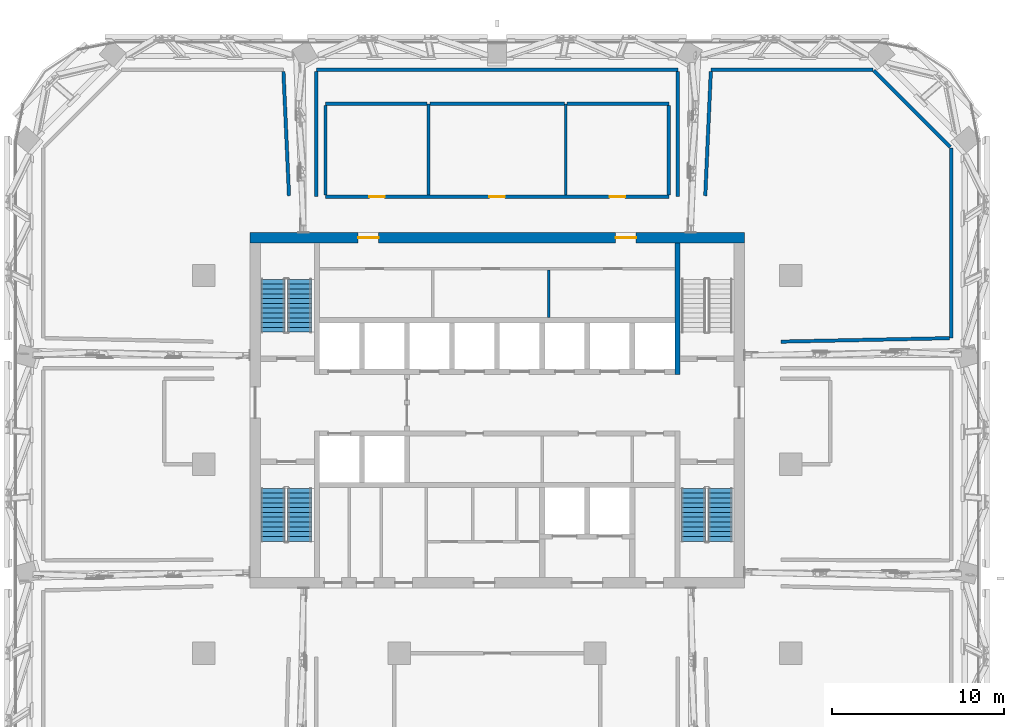
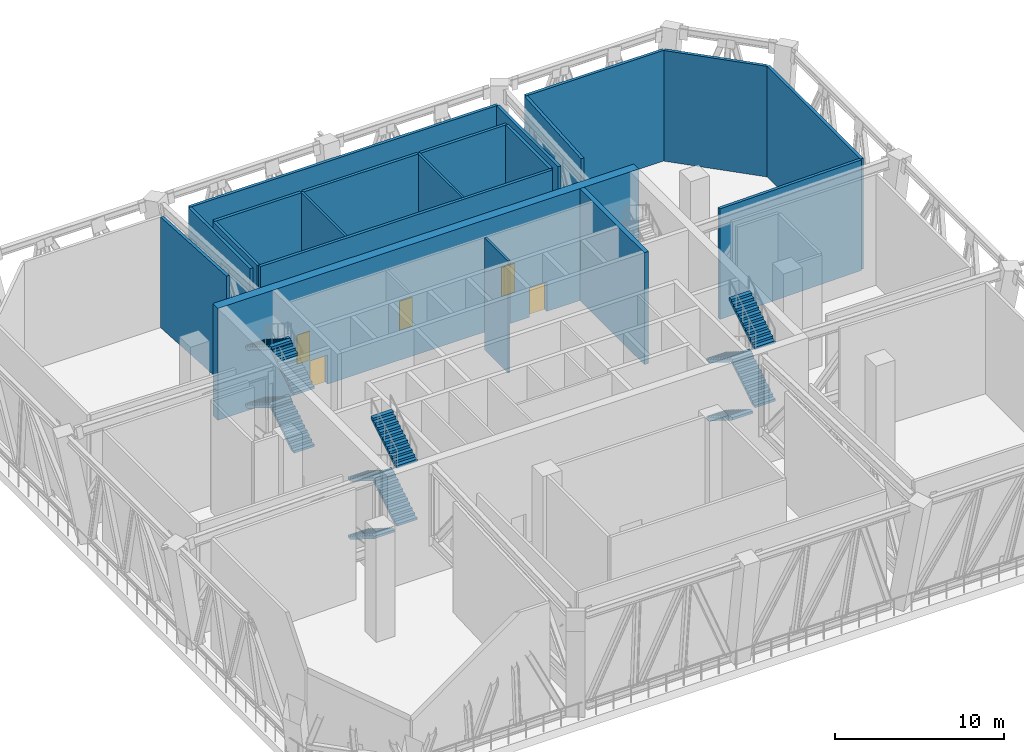
# One storey, part 8 of 24: 20 walls, 12 stair flights, 5 doors, 5 openings, 3 elements without a shape of their own.
"""IFC4 building model written with IfcOpenShell, lengths in metres."""

import ifcopenshell
import ifcopenshell.guid

model = None  # the IFC model being written
_history = None  # IfcOwnerHistory: only IFC2X3 demands one
_inside = {}  # id of a spatial element -> (the spatial element, [elements in it])
_under = {}  # id of a project, library or spatial element -> (it, [spatial elements below it])
_declared = {}  # id of a project -> (the project, [libraries it declares])
_typed = {}  # id of a type object -> (the type object, [elements of that type])
_made_of = {}  # id of a material, layer set ... -> (it, [elements and type objects made of it])


def new_model(schema):
    """Start an empty IFC model of exactly this schema.

    Asked for "IFC4X3", IfcOpenShell would pick the latest addendum, in which some entities
    have other attributes; the version numbers below select the first issue.
    IFC2X3 requires an IfcOwnerHistory on every rooted entity: one is made here for all.
    """
    global model, _history
    if schema == "IFC4X3":
        model = ifcopenshell.file(schema_version=(4, 3, 0, 0))
    else:
        model = ifcopenshell.file(schema=schema)
    _inside.clear()
    _under.clear()
    _declared.clear()
    _typed.clear()
    _made_of.clear()
    _history = None
    if model.schema == "IFC2X3":
        org = make("IfcOrganization", Name="unknown")
        user = make(
            "IfcPersonAndOrganization",
            ThePerson=make("IfcPerson", FamilyName="unknown"),
            TheOrganization=org,
        )
        app = make(
            "IfcApplication",
            ApplicationDeveloper=org,
            Version="unknown",
            ApplicationFullName="unknown",
            ApplicationIdentifier="unknown",
        )
        _history = make(
            "IfcOwnerHistory",
            OwningUser=user,
            OwningApplication=app,
            ChangeAction="ADDED",
            CreationDate=0,
        )
    return model


def make(cls, **values):
    """One entity of the class cls with the attributes given. An attribute that is None is left unset."""
    return model.create_entity(
        cls, **{name: value for name, value in values.items() if value is not None}
    )


def rooted(cls, **values):
    """An entity with a GlobalId (a new one), such as an element, a storey or a relation."""
    return make(cls, GlobalId=ifcopenshell.guid.new(), OwnerHistory=_history, **values)


def si_unit(unit_type, name, prefix=None):
    """IfcSIUnit, for example si_unit("LENGTHUNIT", "METRE", prefix="MILLI")."""
    return make("IfcSIUnit", UnitType=unit_type, Prefix=prefix, Name=name)


def assignment(units):
    """IfcUnitAssignment: the units of a project."""
    return None if units is None else make("IfcUnitAssignment", Units=units)


def point(xyz):
    """IfcCartesianPoint."""
    return None if xyz is None else make("IfcCartesianPoint", Coordinates=xyz)


def direction(xyz):
    """IfcDirection."""
    return None if xyz is None else make("IfcDirection", DirectionRatios=xyz)


def frame(location, z_axis=None, x_axis=None):
    """IfcAxis2Placement3D, a coordinate frame: its origin and axes. An axis left out is left unset."""
    return make(
        "IfcAxis2Placement3D",
        Location=point(location),
        Axis=direction(z_axis),
        RefDirection=direction(x_axis),
    )


def frame_2d(location, x_axis=None):
    """IfcAxis2Placement2D, a coordinate frame in the plane: its origin and x axis."""
    return make(
        "IfcAxis2Placement2D", Location=point(location), RefDirection=direction(x_axis)
    )


def origin():
    """The frame at (0, 0, 0) with its axes left unset."""
    return frame((0.0, 0.0, 0.0))


def place(relative_to, where):
    """IfcLocalPlacement: puts the frame where relative to a parent placement (None: the world)."""
    return make(
        "IfcLocalPlacement", PlacementRelTo=relative_to, RelativePlacement=where
    )


def context(
    kind, dimensions, precision=None, world=None, true_north=None, identifier=None
):
    """IfcGeometricRepresentationContext, for example the 3D "Model" context."""
    return make(
        "IfcGeometricRepresentationContext",
        ContextIdentifier=identifier,
        ContextType=kind,
        CoordinateSpaceDimension=dimensions,
        Precision=precision,
        WorldCoordinateSystem=world,
        TrueNorth=true_north,
    )


def subcontext(parent, identifier, kind, view, scale=None):
    """IfcGeometricRepresentationSubContext, for example "Body" below "Model"."""
    return make(
        "IfcGeometricRepresentationSubContext",
        ContextIdentifier=identifier,
        ContextType=kind,
        ParentContext=parent,
        TargetScale=scale,
        TargetView=view,
    )


def project(units=None, contexts=None):
    """IfcProject with its units and contexts."""
    return rooted(
        "IfcProject",
        Name="project",
        RepresentationContexts=contexts,
        UnitsInContext=assignment(units),
    )


def spatial(cls, under=None, at=None, **own):
    """A site, building, storey or space (cls), placed at a placement, below another one or the project."""
    s = rooted(cls, ObjectPlacement=at, **own)
    if under is not None:
        _under.setdefault(under.id(), (under, []))[1].append(s)
    return s


def polyline(points):
    """IfcPolyline through the points."""
    return make("IfcPolyline", Points=[point(p) for p in points])


def profile(cls, at=None, kind="AREA", **sizes):
    """A parametric profile (cls). Its sizes go by their IFC names, for example OverallWidth=200.0."""
    return make(cls, ProfileType=kind, Position=at, **sizes)


def rectangle(**sizes):
    """IfcRectangleProfileDef."""
    return profile("IfcRectangleProfileDef", **sizes)


def outline(outer, holes=None, kind="AREA"):
    """IfcArbitraryClosedProfileDef: a profile drawn as a closed curve; with holes, ...WithVoids."""
    if holes is None:
        return make("IfcArbitraryClosedProfileDef", ProfileType=kind, OuterCurve=outer)
    return make(
        "IfcArbitraryProfileDefWithVoids",
        ProfileType=kind,
        OuterCurve=outer,
        InnerCurves=holes,
    )


def extrude(swept, where, along, depth):
    """IfcExtrudedAreaSolid: the profile swept, set in the frame where, extruded along a direction by depth."""
    return make(
        "IfcExtrudedAreaSolid",
        SweptArea=swept,
        Position=where,
        ExtrudedDirection=direction(along),
        Depth=depth,
    )


def shape(context_of_items, identifier, shape_type, items):
    """IfcShapeRepresentation: the items that make up one representation, for example the "Body"."""
    return make(
        "IfcShapeRepresentation",
        ContextOfItems=context_of_items,
        RepresentationIdentifier=identifier,
        RepresentationType=shape_type,
        Items=items,
    )


def material(Name=None, Category=None):
    """IfcMaterial."""
    return make("IfcMaterial", Name=Name, Category=Category)


def layer(
    of_material, thickness, ventilated=None, Name=None, Category=None, Priority=None
):
    """IfcMaterialLayer: one layer of a wall or slab, of a material (None: an air gap)."""
    return make(
        "IfcMaterialLayer",
        Material=of_material,
        LayerThickness=thickness,
        IsVentilated=ventilated,
        Name=Name,
        Category=Category,
        Priority=Priority,
    )


def layer_set(layers, Name=None):
    """IfcMaterialLayerSet."""
    return make("IfcMaterialLayerSet", MaterialLayers=layers, LayerSetName=Name)


def made_of(thing, what):
    """Note that an element or type object is made of a material, layer set ...; save() writes the relation."""
    if what is not None:
        _made_of.setdefault(what.id(), (what, []))[1].append(thing)
    return thing


def type_object(cls, material=None, **own):
    """A type object (cls), such as IfcWallType, which elements share."""
    return made_of(rooted(cls, **own), material)


def element(
    cls,
    number,
    at=None,
    inside=None,
    cuts=None,
    type_object=None,
    material=None,
    context=None,
    identifier="Body",
    shape_type=None,
    held_by="IfcProductDefinitionShape",
    body=None,
    shapes=None,
    **own,
):
    """One element of the class cls, such as IfcWall. Its Tag is "e" and its number.

    at: its placement. inside: the storey or other place that contains it. cuts: it is an
    opening in that element (IfcRelVoidsElement). A single representation is given by context,
    identifier, shape_type and body (its items); several are given by shapes. held_by: the class
    of the entity that holds the representations. save() writes the other relations.
    """
    e = rooted(cls, Tag="e%d" % number, ObjectPlacement=at, **own)
    if body is not None:
        shapes = [shape(context, identifier, shape_type, body)]
    if shapes is not None:
        e.Representation = make(held_by, Representations=shapes)
    if inside is not None:
        _inside.setdefault(inside.id(), (inside, []))[1].append(e)
    if cuts is not None:
        rooted(
            "IfcRelVoidsElement", RelatingBuildingElement=cuts, RelatedOpeningElement=e
        )
    if type_object is not None:
        _typed.setdefault(type_object.id(), (type_object, []))[1].append(e)
    return made_of(e, material)


def fill(opening, filler):
    """IfcRelFillsElement: the door or window that sits in an opening."""
    return rooted(
        "IfcRelFillsElement",
        RelatingOpeningElement=opening,
        RelatedBuildingElement=filler,
    )


def aggregate(whole, parts):
    """IfcRelAggregates: a whole, such as a stair, and the parts it consists of."""
    return rooted("IfcRelAggregates", RelatingObject=whole, RelatedObjects=parts)


def save(model, path):
    """Write the relations noted so far, then the file.

    IfcRelAggregates (storeys below a building ...), IfcRelContainedInSpatialStructure (elements
    in a storey), IfcRelDefinesByType, IfcRelAssociatesMaterial and IfcRelDeclares: one each for
    every whole, place, type object, material and project.
    """
    for whole, parts in _under.values():
        aggregate(whole, parts)
    for where, things in _inside.values():
        rooted(
            "IfcRelContainedInSpatialStructure",
            RelatedElements=things,
            RelatingStructure=where,
        )
    for kind, things in _typed.values():
        rooted("IfcRelDefinesByType", RelatedObjects=things, RelatingType=kind)
    for what, things in _made_of.values():
        rooted("IfcRelAssociatesMaterial", RelatedObjects=things, RelatingMaterial=what)
    for by, libraries in _declared.values():
        rooted("IfcRelDeclares", RelatingContext=by, RelatedDefinitions=libraries)
    model.write(path)


model = new_model("IFC4")

# Units and contexts
model_context = context("Model", 3, precision=1e-05, world=origin(), true_north=direction((0.0, 1.0)))
body_context = subcontext(model_context, "Body", "Model", "MODEL_VIEW")
ifc_project = project(units=[si_unit("LENGTHUNIT", "METRE"), si_unit("AREAUNIT", "SQUARE_METRE"), si_unit("VOLUMEUNIT", "CUBIC_METRE"), si_unit("PLANEANGLEUNIT", "RADIAN"), si_unit("MASSUNIT", "GRAM", prefix="KILO")], contexts=[model_context])

# Site, building, storey
site_placement = place(None, origin())
site = spatial("IfcSite", under=ifc_project, at=site_placement, CompositionType="ELEMENT")
building_placement = place(site_placement, origin())
building = spatial("IfcBuilding", under=site, at=building_placement, Name="Mopane Tessera Tower", CompositionType="ELEMENT")
storey_placement = place(building_placement, frame((0.0, 0.0, 259.0)))
storey = spatial("IfcBuildingStorey", under=building, at=storey_placement, Name="L56", CompositionType="ELEMENT", Elevation=259.0)

# Wall
ifc_material_1 = material(Name="Fire-rated gypsum board partition")
ifc_layer_1 = layer(ifc_material_1, 0.14990234375)
ifc_layer_set_1 = layer_set([ifc_layer_1], Name="Fire-rated gypsum board partition")
wall_type_1 = type_object("IfcWallType", Name="Core room partition 150 mm", PredefinedType="PARTITIONING", material=ifc_layer_set_1)
wall_1_placement = place(storey_placement, frame((3.0, 8.550048828125, 0.0), z_axis=(0.0, 0.0, 1.0), x_axis=(0.0, 1.0, 0.0)))
element("IfcWall", 1, at=wall_1_placement, inside=storey, type_object=wall_type_1, Name="L56 Room partition", PredefinedType="PARTITIONING", context=body_context, shape_type="SweptSolid", body=[
    extrude(rectangle(XDim=2.77490234375, YDim=0.14990234375, at=frame_2d((1.387451171875, 0.0))), origin(), (0.0, 0.0, 1.0), 8.10009765625),
])

# Wall, openings, doors
ifc_material_2 = material(Name="Concrete C70/85", Category="concrete")
ifc_layer_2 = layer(ifc_material_2, 0.60009765625)
ifc_layer_set_2 = layer_set([ifc_layer_2], Name="Concrete C70/85")
wall_type_2 = type_object("IfcWallType", Name="Core shear wall 600 mm", PredefinedType="SHEAR", material=ifc_layer_set_2)
wall_2_placement = place(storey_placement, frame((-14.39990234375, 13.199951171875, 0.0), z_axis=(0.0, 0.0, 1.0), x_axis=(1.0, 0.0, 0.0)))
wall_2 = element("IfcWall", 2, at=wall_2_placement, inside=storey, type_object=wall_type_2, Name="L56 Core wall north", PredefinedType="SHEAR", context=body_context, shape_type="SweptSolid", body=[
    extrude(rectangle(XDim=28.7998046875, YDim=0.60009765625, at=frame_2d((14.39990234375, 0.0))), origin(), (0.0, 0.0, 1.0), 8.10009765625),
])
opening_1_placement = place(wall_2_placement, frame((6.300048828125, 0.0, 0.0)))
opening_1 = element("IfcOpeningElement", 3, at=opening_1_placement, cuts=wall_2, Name="Opening RD2", PredefinedType="OPENING", context=body_context, shape_type="SweptSolid", body=[
    extrude(rectangle(XDim=1.199951171875, YDim=2.10009765625, at=frame_2d((0.60009765625, 1.050048828125))), frame((0.0, 0.31201171875, 0.0), z_axis=(0.0, -1.0, 0.0), x_axis=(1.0, 0.0, 0.0)), (0.0, 0.0, 1.0), 0.6240234375),
])
opening_2_placement = place(wall_2_placement, frame((21.300048828125, 0.0, 0.0)))
opening_2 = element("IfcOpeningElement", 4, at=opening_2_placement, cuts=wall_2, Name="Opening RD2", PredefinedType="OPENING", context=body_context, shape_type="SweptSolid", body=[
    extrude(rectangle(XDim=1.199951171875, YDim=2.10009765625, at=frame_2d((0.60009765625, 1.050048828125))), frame((0.0, 0.31201171875, 0.0), z_axis=(0.0, -1.0, 0.0), x_axis=(1.0, 0.0, 0.0)), (0.0, 0.0, 1.0), 0.6240234375),
])
ifc_material_3 = material(Name="Timber door", Category="wood")
door_type_1 = type_object("IfcDoorType", Name="Core corridor door 1200 x 2100", OperationType="SINGLE_SWING_LEFT", PredefinedType="DOOR", material=ifc_material_3)
door_1_placement = place(opening_1_placement, origin())
door_1 = element("IfcDoor", 5, at=door_1_placement, inside=storey, type_object=door_type_1, Name="L56 Corridor door", OperationType="SINGLE_SWING_LEFT", OverallHeight=2.10009765625, OverallWidth=1.199951171875, PredefinedType="DOOR", context=body_context, shape_type="SweptSolid", body=[
    extrude(rectangle(XDim=1.199951171875, YDim=2.10009765625, at=frame_2d((0.60009765625, 1.050048828125))), frame((0.0, 0.02490234375, 0.0), z_axis=(0.0, -1.0, 0.0), x_axis=(1.0, 0.0, 0.0)), (0.0, 0.0, 1.0), 0.050048828125),
])
fill(opening_1, door_1)
door_2_placement = place(opening_2_placement, origin())
door_2 = element("IfcDoor", 6, at=door_2_placement, inside=storey, type_object=door_type_1, Name="L56 Corridor door", OperationType="SINGLE_SWING_RIGHT", OverallHeight=2.10009765625, OverallWidth=1.199951171875, PredefinedType="DOOR", context=body_context, shape_type="SweptSolid", body=[
    extrude(rectangle(XDim=1.199951171875, YDim=2.10009765625, at=frame_2d((0.60009765625, 1.050048828125))), frame((0.0, 0.02490234375, 0.0), z_axis=(0.0, -1.0, 0.0), x_axis=(1.0, 0.0, 0.0)), (0.0, 0.0, 1.0), 0.050048828125),
])
fill(opening_2, door_2)

# Wall
ifc_material_4 = material(Name="Concrete C60/75", Category="concrete")
ifc_layer_3 = layer(ifc_material_4, 0.300048828125)
ifc_layer_set_3 = layer_set([ifc_layer_3], Name="Concrete C60/75")
wall_type_3 = type_object("IfcWallType", Name="Core spine wall 300 mm", PredefinedType="SHEAR", material=ifc_layer_set_3)
wall_3_placement = place(storey_placement, frame((10.5, 5.25, 0.0), z_axis=(0.0, 0.0, 1.0), x_axis=(0.0, 1.0, 0.0)))
element("IfcWall", 7, at=wall_3_placement, inside=storey, type_object=wall_type_3, Name="L56 Core spine wall", PredefinedType="SHEAR", context=body_context, shape_type="SweptSolid", body=[
    extrude(rectangle(XDim=7.64990234375, YDim=0.300048828125, at=frame_2d((3.824951171875, 0.0))), origin(), (0.0, 0.0, 1.0), 8.10009765625),
])

# Wall, openings, doors
ifc_material_5 = material(Name="Gypsum board on steel studs, two layers each face, mineral wool infill", Category="steel")
ifc_layer_4 = layer(ifc_material_5, 0.199951171875)
ifc_layer_set_4 = layer_set([ifc_layer_4], Name="Gypsum board on steel studs, two layers each face, mineral wool infill")
wall_type_4 = type_object("IfcWallType", Name="Gypsum board corridor wall 200, rated EI 60", PredefinedType="PARTITIONING", material=ifc_layer_set_4)
wall_4_placement = place(storey_placement, frame((-10.0, 15.60009765625, 0.0), z_axis=(0.0, 0.0, 1.0), x_axis=(1.0, 0.0, 0.0)))
wall_4 = element("IfcWall", 8, at=wall_4_placement, inside=storey, type_object=wall_type_4, Name="Partition L56:011", PredefinedType="PARTITIONING", context=body_context, shape_type="SweptSolid", body=[
    extrude(rectangle(XDim=20.0, YDim=0.199951171875, at=frame_2d((10.0, 0.0))), origin(), (0.0, 0.0, 1.0), 8.0),
])
opening_3_placement = place(wall_4_placement, frame((9.550048828125, 0.0, 0.0)))
opening_3 = element("IfcOpeningElement", 9, at=opening_3_placement, cuts=wall_4, Name="Opening L56-01", PredefinedType="OPENING", context=body_context, shape_type="SweptSolid", body=[
    extrude(rectangle(XDim=0.89990234375, YDim=2.10009765625, at=frame_2d((0.449951171875, 1.050048828125))), frame((0.0, 0.112060546875, 0.0), z_axis=(0.0, -1.0, 0.0), x_axis=(1.0, 0.0, 0.0)), (0.0, 0.0, 1.0), 0.223876953125),
])
opening_4_placement = place(wall_4_placement, frame((2.550048828125, 0.0, 0.0)))
opening_4 = element("IfcOpeningElement", 10, at=opening_4_placement, cuts=wall_4, Name="Opening L56-03", PredefinedType="OPENING", context=body_context, shape_type="SweptSolid", body=[
    extrude(rectangle(XDim=0.89990234375, YDim=2.10009765625, at=frame_2d((0.449951171875, 1.050048828125))), frame((0.0, 0.112060546875, 0.0), z_axis=(0.0, -1.0, 0.0), x_axis=(1.0, 0.0, 0.0)), (0.0, 0.0, 1.0), 0.223876953125),
])
opening_5_placement = place(wall_4_placement, frame((16.550048828125, 0.0, 0.0)))
opening_5 = element("IfcOpeningElement", 11, at=opening_5_placement, cuts=wall_4, Name="Opening L56-04", PredefinedType="OPENING", context=body_context, shape_type="SweptSolid", body=[
    extrude(rectangle(XDim=0.89990234375, YDim=2.10009765625, at=frame_2d((0.449951171875, 1.050048828125))), frame((0.0, 0.112060546875, 0.0), z_axis=(0.0, -1.0, 0.0), x_axis=(1.0, 0.0, 0.0)), (0.0, 0.0, 1.0), 0.223876953125),
])
ifc_material_6 = material(Name="Timber veneered steel-framed fire door", Category="steel")
door_type_2 = type_object("IfcDoorType", Name="Fire door FD60 900 x 2100", OperationType="SINGLE_SWING_LEFT", PredefinedType="DOOR", material=ifc_material_6)
door_3_placement = place(opening_3_placement, origin())
door_3 = element("IfcDoor", 12, at=door_3_placement, inside=storey, type_object=door_type_2, Name="Door L56-01", ObjectType="D10A", OperationType="SINGLE_SWING_RIGHT", OverallHeight=2.10009765625, OverallWidth=0.89990234375, PredefinedType="DOOR", context=body_context, shape_type="SweptSolid", body=[
    extrude(rectangle(XDim=0.89990234375, YDim=2.10009765625, at=frame_2d((0.449951171875, 1.050048828125))), frame((0.0, 0.02490234375, 0.0), z_axis=(0.0, -1.0, 0.0), x_axis=(1.0, 0.0, 0.0)), (0.0, 0.0, 1.0), 0.050048828125),
])
fill(opening_3, door_3)
door_4_placement = place(opening_4_placement, origin())
door_4 = element("IfcDoor", 13, at=door_4_placement, inside=storey, type_object=door_type_2, Name="Door L56-03", ObjectType="D10A", OperationType="SINGLE_SWING_RIGHT", OverallHeight=2.10009765625, OverallWidth=0.89990234375, PredefinedType="DOOR", context=body_context, shape_type="SweptSolid", body=[
    extrude(rectangle(XDim=0.89990234375, YDim=2.10009765625, at=frame_2d((0.449951171875, 1.050048828125))), frame((0.0, 0.02490234375, 0.0), z_axis=(0.0, -1.0, 0.0), x_axis=(1.0, 0.0, 0.0)), (0.0, 0.0, 1.0), 0.050048828125),
])
fill(opening_4, door_4)
door_5_placement = place(opening_5_placement, origin())
door_5 = element("IfcDoor", 14, at=door_5_placement, inside=storey, type_object=door_type_2, Name="Door L56-04", ObjectType="D10A", OperationType="SINGLE_SWING_LEFT", OverallHeight=2.10009765625, OverallWidth=0.89990234375, PredefinedType="DOOR", context=body_context, shape_type="SweptSolid", body=[
    extrude(rectangle(XDim=0.89990234375, YDim=2.10009765625, at=frame_2d((0.449951171875, 1.050048828125))), frame((0.0, 0.02490234375, 0.0), z_axis=(0.0, -1.0, 0.0), x_axis=(1.0, 0.0, 0.0)), (0.0, 0.0, 1.0), 0.050048828125),
])
fill(opening_5, door_5)

# Walls
wall_5_placement = place(storey_placement, frame((-10.0, 21.0, 0.0), z_axis=(0.0, 0.0, 1.0), x_axis=(1.0, 0.0, 0.0)))
element("IfcWall", 15, at=wall_5_placement, inside=storey, type_object=wall_type_4, Name="Partition L56:012", PredefinedType="PARTITIONING", context=body_context, shape_type="SweptSolid", body=[
    extrude(rectangle(XDim=5.925048828125, YDim=0.199951171875, at=frame_2d((2.96240234375, 0.0))), origin(), (0.0, 0.0, 1.0), 8.0),
])
wall_6_placement = place(storey_placement, frame((-3.925048828125, 21.0, 0.0), z_axis=(0.0, 0.0, 1.0), x_axis=(1.0, 0.0, 0.0)))
element("IfcWall", 16, at=wall_6_placement, inside=storey, type_object=wall_type_4, Name="Partition L56:013", PredefinedType="PARTITIONING", context=body_context, shape_type="SweptSolid", body=[
    extrude(rectangle(XDim=7.85009765625, YDim=0.199951171875, at=frame_2d((3.925048828125, 0.0))), origin(), (0.0, 0.0, 1.0), 8.0),
])
wall_7_placement = place(storey_placement, frame((4.074951171875, 21.0, 0.0), z_axis=(0.0, 0.0, 1.0), x_axis=(1.0, 0.0, 0.0)))
element("IfcWall", 17, at=wall_7_placement, inside=storey, type_object=wall_type_4, Name="Partition L56:014", PredefinedType="PARTITIONING", context=body_context, shape_type="SweptSolid", body=[
    extrude(rectangle(XDim=5.925048828125, YDim=0.199951171875, at=frame_2d((2.96240234375, 0.0))), origin(), (0.0, 0.0, 1.0), 8.0),
])
wall_8_placement = place(storey_placement, frame((-10.530029296875, 23.0, 0.0), z_axis=(0.0, 0.0, 1.0), x_axis=(1.0, 0.0, 0.0)))
element("IfcWall", 18, at=wall_8_placement, inside=storey, type_object=wall_type_4, Name="Partition L56:016", PredefinedType="PARTITIONING", context=body_context, shape_type="SweptSolid", body=[
    extrude(rectangle(XDim=21.06005859375, YDim=0.199951171875, at=frame_2d((10.530029296875, 0.0))), origin(), (0.0, 0.0, 1.0), 8.0),
])
wall_9_placement = place(storey_placement, frame((12.455078125, 23.0, 0.0), z_axis=(0.0, 0.0, 1.0), x_axis=(1.0, 0.0, 0.0)))
element("IfcWall", 19, at=wall_9_placement, inside=storey, type_object=wall_type_4, Name="Partition L56:017", PredefinedType="PARTITIONING", context=body_context, shape_type="SweptSolid", body=[
    extrude(rectangle(XDim=9.434814453125, YDim=0.199951171875, at=frame_2d((4.71728515625, 0.0))), origin(), (0.0, 0.0, 1.0), 8.0),
])
wall_10_placement = place(storey_placement, frame((-10.530029296875, 15.6201171875, 0.0), z_axis=(0.0, 0.0, 1.0), x_axis=(0.0, 1.0, 0.0)))
element("IfcWall", 20, at=wall_10_placement, inside=storey, type_object=wall_type_4, Name="Partition L56:023", PredefinedType="PARTITIONING", context=body_context, shape_type="SweptSolid", body=[
    extrude(rectangle(XDim=7.27978515625, YDim=0.199951171875, at=frame_2d((3.639892578125, 0.0))), origin(), (0.0, 0.0, 1.0), 8.0),
])
for number, where, z_axis, x_axis, name in (
    (21, (-10.0, 15.699951171875, 0.0), (0.0, 0.0, 1.0), (0.0, 1.0, 0.0), "Partition L56:024"),
    (22, (10.0, 15.699951171875, 0.0), (0.0, 0.0, 1.0), (0.0, 1.0, 0.0), "Partition L56:029"),
):
    element("IfcWall", number, at=place(storey_placement, frame(where, z_axis=z_axis, x_axis=x_axis)), inside=storey, type_object=wall_type_4, Name=name, PredefinedType="PARTITIONING", context=body_context, shape_type="SweptSolid", body=[
        extrude(rectangle(XDim=5.199951171875, YDim=0.199951171875, at=frame_2d((2.60009765625, 0.0))), origin(), (0.0, 0.0, 1.0), 8.0),
    ])
wall_11_placement = place(storey_placement, frame((10.530029296875, 15.6201171875, 0.0), z_axis=(0.0, 0.0, 1.0), x_axis=(0.0, 1.0, 0.0)))
element("IfcWall", 23, at=wall_11_placement, inside=storey, type_object=wall_type_4, Name="Partition L56:031", PredefinedType="PARTITIONING", context=body_context, shape_type="SweptSolid", body=[
    extrude(rectangle(XDim=7.27978515625, YDim=0.199951171875, at=frame_2d((3.639892578125, 0.0))), origin(), (0.0, 0.0, 1.0), 8.0),
])
wall_12_placement = place(storey_placement, frame((26.449951171875, 7.35498046875, 0.0), z_axis=(0.0, 0.0, 1.0), x_axis=(0.0, 1.0, 0.0)))
element("IfcWall", 24, at=wall_12_placement, inside=storey, type_object=wall_type_4, Name="Partition L56:035", PredefinedType="PARTITIONING", context=body_context, shape_type="SweptSolid", body=[
    extrude(rectangle(XDim=11.0849609375, YDim=0.199951171875, at=frame_2d((5.54248046875, 0.0))), origin(), (0.0, 0.0, 1.0), 8.0),
])
for number, where, z_axis, x_axis, name in (
    (25, (-12.450927734375, 22.89990234375, 0.0), (0.0, 0.0, 1.0), (0.044775898512, -0.998997056508, 0.0), "Partition L56:039"),
    (26, (12.1259765625, 15.64990234375, 0.0), (0.0, 0.0, 1.0), (0.044775898512, 0.998997056508, 0.0), "Partition L56:046"),
):
    element("IfcWall", number, at=place(storey_placement, frame(where, z_axis=z_axis, x_axis=x_axis)), inside=storey, type_object=wall_type_4, Name=name, PredefinedType="PARTITIONING", context=body_context, shape_type="SweptSolid", body=[
        extrude(rectangle(XDim=7.25732421875, YDim=0.199951171875, at=frame_2d((3.628662109375, 0.0))), origin(), (0.0, 0.0, 1.0), 8.0),
    ])
wall_13_placement = place(storey_placement, frame((21.93896484375, 22.950927734375, 0.0), z_axis=(0.0, 0.0, 1.0), x_axis=(0.707106781187, -0.707106781187, 0.0)))
element("IfcWall", 27, at=wall_13_placement, inside=storey, type_object=wall_type_4, Name="Partition L56:047", PredefinedType="PARTITIONING", context=body_context, shape_type="SweptSolid", body=[
    extrude(rectangle(XDim=6.31005859375, YDim=0.199951171875, at=frame_2d((3.155029296875, 0.0))), origin(), (0.0, 0.0, 1.0), 8.0),
])
wall_14_placement = place(storey_placement, frame((26.35009765625, 7.35302734375, 0.0), z_axis=(0.0, 0.0, 1.0), x_axis=(-0.999787325343, -0.020622901905, 0.0)))
element("IfcWall", 28, at=wall_14_placement, inside=storey, type_object=wall_type_4, Name="Partition L56:048", PredefinedType="PARTITIONING", context=body_context, shape_type="SweptSolid", body=[
    extrude(rectangle(XDim=9.80224609375, YDim=0.199951171875, at=frame_2d((4.901123046875, 0.0))), origin(), (0.0, 0.0, 1.0), 8.0),
])
ifc_material_7 = material(Name="Gypsum board on steel studs, mineral wool infill", Category="steel")
ifc_layer_5 = layer(ifc_material_7, 0.14990234375)
ifc_layer_set_5 = layer_set([ifc_layer_5], Name="Gypsum board on steel studs, mineral wool infill")
wall_type_5 = type_object("IfcWallType", Name="Gypsum board partition 150, rated EI 60", PredefinedType="PARTITIONING", material=ifc_layer_set_5)
for number, where, z_axis, x_axis, name in (
    (29, (-4.0, 15.699951171875, 0.0), (0.0, 0.0, 1.0), (0.0, 1.0, 0.0), "Partition L56:026"),
    (30, (4.0, 15.699951171875, 0.0), (0.0, 0.0, 1.0), (0.0, 1.0, 0.0), "Partition L56:027"),
):
    element("IfcWall", number, at=place(storey_placement, frame(where, z_axis=z_axis, x_axis=x_axis)), inside=storey, type_object=wall_type_5, Name=name, PredefinedType="PARTITIONING", context=body_context, shape_type="SweptSolid", body=[
        extrude(rectangle(XDim=5.300048828125, YDim=0.14990234375, at=frame_2d((2.64990234375, 0.0))), origin(), (0.0, 0.0, 1.0), 8.0),
    ])

# Stair, stair flights
ifc_material_8 = material(Name="Concrete C50/60", Category="concrete")
stair_type = type_object("IfcStairType", Name="Escape stair 1400 mm, riser 175 mm", PredefinedType="HALF_TURN_STAIR", material=ifc_material_8)
stair_1_placement = place(storey_placement, origin())
stair_1 = element("IfcStair", 31, at=stair_1_placement, inside=storey, type_object=stair_type, Name="L56 Escape stair south-west", PredefinedType="HALF_TURN_STAIR")
ifc_material_9 = material(Name="Concrete C50/60", Category="concrete")
stair_flight_type = type_object("IfcStairFlightType", Name="Escape stair flight 1400 mm", PredefinedType="STRAIGHT", material=ifc_material_9)
stair_flight_1_placement = place(storey_placement, frame((-13.050048828125, -1.39990234375, 0.0), z_axis=(0.0, 0.0, 1.0), x_axis=(0.0, -1.0, 0.0)))
stair_flight_1 = element("IfcStairFlight", 32, at=stair_flight_1_placement, type_object=stair_flight_type, Name="ST1 flight 1", NumberOfRisers=12, NumberOfTreads=11, PredefinedType="STRAIGHT", RiserHeight=0.175, TreadLength=0.28, context=body_context, shape_type="SweptSolid", body=[
    extrude(outline(polyline([(0.0, 0.0), (0.0, 0.175048828125), (0.280029296875, 0.175048828125), (0.280029296875, 0.35009765625), (0.56005859375, 0.35009765625), (0.56005859375, 0.52490234375), (0.840087890625, 0.52490234375), (0.840087890625, 0.699951171875), (1.1201171875, 0.699951171875), (1.1201171875, 0.875), (1.39990234375, 0.875), (1.39990234375, 1.050048828125), (1.679931640625, 1.050048828125), (1.679931640625, 1.22509765625), (1.9599609375, 1.22509765625), (1.9599609375, 1.39990234375), (2.239990234375, 1.39990234375), (2.239990234375, 1.574951171875), (2.52001953125, 1.574951171875), (2.52001953125, 1.75), (2.800048828125, 1.75), (2.800048828125, 1.925048828125), (3.080078125, 1.925048828125), (3.080078125, 2.10009765625), (3.080078125, 1.748291015625), (0.28271484375, 0.0), (0.0, 0.0)])), frame((0.0, 0.699951171875, 0.0), z_axis=(0.0, -1.0, 0.0), x_axis=(1.0, 0.0, 0.0)), (0.0, 0.0, 1.0), 1.39990234375),
])
stair_flight_2_placement = place(storey_placement, frame((-11.5, -4.47998046875, 2.10009765625), z_axis=(0.0, 0.0, 1.0), x_axis=(0.0, 1.0, 0.0)))
stair_flight_2 = element("IfcStairFlight", 33, at=stair_flight_2_placement, type_object=stair_flight_type, Name="ST1 flight 2", NumberOfRisers=12, NumberOfTreads=11, PredefinedType="STRAIGHT", RiserHeight=0.175, TreadLength=0.28, context=body_context, shape_type="SweptSolid", body=[
    extrude(outline(polyline([(0.0, 0.0), (0.0, 0.175048828125), (0.280029296875, 0.175048828125), (0.280029296875, 0.35009765625), (0.56005859375, 0.35009765625), (0.56005859375, 0.52490234375), (0.840087890625, 0.52490234375), (0.840087890625, 0.699951171875), (1.1201171875, 0.699951171875), (1.1201171875, 0.875), (1.39990234375, 0.875), (1.39990234375, 1.050048828125), (1.679931640625, 1.050048828125), (1.679931640625, 1.22509765625), (1.9599609375, 1.22509765625), (1.9599609375, 1.39990234375), (2.239990234375, 1.39990234375), (2.239990234375, 1.574951171875), (2.52001953125, 1.574951171875), (2.52001953125, 1.75), (2.800048828125, 1.75), (2.800048828125, 1.925048828125), (3.080078125, 1.925048828125), (3.080078125, 2.10009765625), (3.080078125, 1.748291015625), (0.28271484375, 0.0), (0.0, 0.0)])), frame((0.0, 0.699951171875, 0.0), z_axis=(0.0, -1.0, 0.0), x_axis=(1.0, 0.0, 0.0)), (0.0, 0.0, 1.0), 1.39990234375),
])
stair_flight_3_placement = place(storey_placement, frame((-13.050048828125, -1.39990234375, 4.199951171875), z_axis=(0.0, 0.0, 1.0), x_axis=(0.0, -1.0, 0.0)))
stair_flight_3 = element("IfcStairFlight", 34, at=stair_flight_3_placement, type_object=stair_flight_type, Name="ST1 flight 3", NumberOfRisers=12, NumberOfTreads=11, PredefinedType="STRAIGHT", RiserHeight=0.175, TreadLength=0.28, context=body_context, shape_type="SweptSolid", body=[
    extrude(outline(polyline([(0.0, 0.0), (0.0, 0.175048828125), (0.280029296875, 0.175048828125), (0.280029296875, 0.35009765625), (0.56005859375, 0.35009765625), (0.56005859375, 0.52490234375), (0.840087890625, 0.52490234375), (0.840087890625, 0.699951171875), (1.1201171875, 0.699951171875), (1.1201171875, 0.875), (1.39990234375, 0.875), (1.39990234375, 1.050048828125), (1.679931640625, 1.050048828125), (1.679931640625, 1.22509765625), (1.9599609375, 1.22509765625), (1.9599609375, 1.39990234375), (2.239990234375, 1.39990234375), (2.239990234375, 1.574951171875), (2.52001953125, 1.574951171875), (2.52001953125, 1.75), (2.800048828125, 1.75), (2.800048828125, 1.925048828125), (3.080078125, 1.925048828125), (3.080078125, 2.10009765625), (3.080078125, 1.748291015625), (0.28271484375, 0.0), (0.0, 0.0)])), frame((0.0, 0.699951171875, 0.0), z_axis=(0.0, -1.0, 0.0), x_axis=(1.0, 0.0, 0.0)), (0.0, 0.0, 1.0), 1.39990234375),
])
stair_flight_4_placement = place(storey_placement, frame((-11.5, -4.47998046875, 6.300048828125), z_axis=(0.0, 0.0, 1.0), x_axis=(0.0, 1.0, 0.0)))
stair_flight_4 = element("IfcStairFlight", 35, at=stair_flight_4_placement, type_object=stair_flight_type, Name="ST1 flight 4", NumberOfRisers=12, NumberOfTreads=11, PredefinedType="STRAIGHT", RiserHeight=0.175, TreadLength=0.28, context=body_context, shape_type="SweptSolid", body=[
    extrude(outline(polyline([(0.0, 0.0), (0.0, 0.175048828125), (0.280029296875, 0.175048828125), (0.280029296875, 0.35009765625), (0.56005859375, 0.35009765625), (0.56005859375, 0.52490234375), (0.840087890625, 0.52490234375), (0.840087890625, 0.699951171875), (1.1201171875, 0.699951171875), (1.1201171875, 0.875), (1.39990234375, 0.875), (1.39990234375, 1.050048828125), (1.679931640625, 1.050048828125), (1.679931640625, 1.22509765625), (1.9599609375, 1.22509765625), (1.9599609375, 1.39990234375), (2.239990234375, 1.39990234375), (2.239990234375, 1.574951171875), (2.52001953125, 1.574951171875), (2.52001953125, 1.75), (2.800048828125, 1.75), (2.800048828125, 1.925048828125), (3.080078125, 1.925048828125), (3.080078125, 2.10009765625), (3.080078125, 1.748291015625), (0.28271484375, 0.0), (0.0, 0.0)])), frame((0.0, 0.699951171875, 0.0), z_axis=(0.0, -1.0, 0.0), x_axis=(1.0, 0.0, 0.0)), (0.0, 0.0, 1.0), 1.39990234375),
])
aggregate(stair_1, [stair_flight_1, stair_flight_2, stair_flight_3, stair_flight_4])

stair_2_placement = place(storey_placement, origin())
stair_2 = element("IfcStair", 36, at=stair_2_placement, inside=storey, type_object=stair_type, Name="L56 Escape stair north-west", PredefinedType="HALF_TURN_STAIR")
stair_flight_5_placement = place(storey_placement, frame((-11.5, 7.699951171875, 0.0), z_axis=(0.0, 0.0, 1.0), x_axis=(0.0, 1.0, 0.0)))
stair_flight_5 = element("IfcStairFlight", 37, at=stair_flight_5_placement, type_object=stair_flight_type, Name="ST2 flight 1", NumberOfRisers=12, NumberOfTreads=11, PredefinedType="STRAIGHT", RiserHeight=0.175, TreadLength=0.28, context=body_context, shape_type="SweptSolid", body=[
    extrude(outline(polyline([(0.0, 0.0), (0.0, 0.175048828125), (0.280029296875, 0.175048828125), (0.280029296875, 0.35009765625), (0.56005859375, 0.35009765625), (0.56005859375, 0.52490234375), (0.840087890625, 0.52490234375), (0.840087890625, 0.699951171875), (1.1201171875, 0.699951171875), (1.1201171875, 0.875), (1.39990234375, 0.875), (1.39990234375, 1.050048828125), (1.679931640625, 1.050048828125), (1.679931640625, 1.22509765625), (1.9599609375, 1.22509765625), (1.9599609375, 1.39990234375), (2.239990234375, 1.39990234375), (2.239990234375, 1.574951171875), (2.52001953125, 1.574951171875), (2.52001953125, 1.75), (2.800048828125, 1.75), (2.800048828125, 1.925048828125), (3.080078125, 1.925048828125), (3.080078125, 2.10009765625), (3.080078125, 1.748291015625), (0.28271484375, 0.0), (0.0, 0.0)])), frame((0.0, 0.699951171875, 0.0), z_axis=(0.0, -1.0, 0.0), x_axis=(1.0, 0.0, 0.0)), (0.0, 0.0, 1.0), 1.39990234375),
])
stair_flight_6_placement = place(storey_placement, frame((-13.050048828125, 10.780029296875, 2.10009765625), z_axis=(0.0, 0.0, 1.0), x_axis=(0.0, -1.0, 0.0)))
stair_flight_6 = element("IfcStairFlight", 38, at=stair_flight_6_placement, type_object=stair_flight_type, Name="ST2 flight 2", NumberOfRisers=12, NumberOfTreads=11, PredefinedType="STRAIGHT", RiserHeight=0.175, TreadLength=0.28, context=body_context, shape_type="SweptSolid", body=[
    extrude(outline(polyline([(0.0, 0.0), (0.0, 0.175048828125), (0.280029296875, 0.175048828125), (0.280029296875, 0.35009765625), (0.56005859375, 0.35009765625), (0.56005859375, 0.52490234375), (0.840087890625, 0.52490234375), (0.840087890625, 0.699951171875), (1.1201171875, 0.699951171875), (1.1201171875, 0.875), (1.39990234375, 0.875), (1.39990234375, 1.050048828125), (1.679931640625, 1.050048828125), (1.679931640625, 1.22509765625), (1.9599609375, 1.22509765625), (1.9599609375, 1.39990234375), (2.239990234375, 1.39990234375), (2.239990234375, 1.574951171875), (2.52001953125, 1.574951171875), (2.52001953125, 1.75), (2.800048828125, 1.75), (2.800048828125, 1.925048828125), (3.080078125, 1.925048828125), (3.080078125, 2.10009765625), (3.080078125, 1.748291015625), (0.28271484375, 0.0), (0.0, 0.0)])), frame((0.0, 0.699951171875, 0.0), z_axis=(0.0, -1.0, 0.0), x_axis=(1.0, 0.0, 0.0)), (0.0, 0.0, 1.0), 1.39990234375),
])
stair_flight_7_placement = place(storey_placement, frame((-11.5, 7.699951171875, 4.199951171875), z_axis=(0.0, 0.0, 1.0), x_axis=(0.0, 1.0, 0.0)))
stair_flight_7 = element("IfcStairFlight", 39, at=stair_flight_7_placement, type_object=stair_flight_type, Name="ST2 flight 3", NumberOfRisers=12, NumberOfTreads=11, PredefinedType="STRAIGHT", RiserHeight=0.175, TreadLength=0.28, context=body_context, shape_type="SweptSolid", body=[
    extrude(outline(polyline([(0.0, 0.0), (0.0, 0.175048828125), (0.280029296875, 0.175048828125), (0.280029296875, 0.35009765625), (0.56005859375, 0.35009765625), (0.56005859375, 0.52490234375), (0.840087890625, 0.52490234375), (0.840087890625, 0.699951171875), (1.1201171875, 0.699951171875), (1.1201171875, 0.875), (1.39990234375, 0.875), (1.39990234375, 1.050048828125), (1.679931640625, 1.050048828125), (1.679931640625, 1.22509765625), (1.9599609375, 1.22509765625), (1.9599609375, 1.39990234375), (2.239990234375, 1.39990234375), (2.239990234375, 1.574951171875), (2.52001953125, 1.574951171875), (2.52001953125, 1.75), (2.800048828125, 1.75), (2.800048828125, 1.925048828125), (3.080078125, 1.925048828125), (3.080078125, 2.10009765625), (3.080078125, 1.748291015625), (0.28271484375, 0.0), (0.0, 0.0)])), frame((0.0, 0.699951171875, 0.0), z_axis=(0.0, -1.0, 0.0), x_axis=(1.0, 0.0, 0.0)), (0.0, 0.0, 1.0), 1.39990234375),
])
stair_flight_8_placement = place(storey_placement, frame((-13.050048828125, 10.780029296875, 6.300048828125), z_axis=(0.0, 0.0, 1.0), x_axis=(0.0, -1.0, 0.0)))
stair_flight_8 = element("IfcStairFlight", 40, at=stair_flight_8_placement, type_object=stair_flight_type, Name="ST2 flight 4", NumberOfRisers=12, NumberOfTreads=11, PredefinedType="STRAIGHT", RiserHeight=0.175, TreadLength=0.28, context=body_context, shape_type="SweptSolid", body=[
    extrude(outline(polyline([(0.0, 0.0), (0.0, 0.175048828125), (0.280029296875, 0.175048828125), (0.280029296875, 0.35009765625), (0.56005859375, 0.35009765625), (0.56005859375, 0.52490234375), (0.840087890625, 0.52490234375), (0.840087890625, 0.699951171875), (1.1201171875, 0.699951171875), (1.1201171875, 0.875), (1.39990234375, 0.875), (1.39990234375, 1.050048828125), (1.679931640625, 1.050048828125), (1.679931640625, 1.22509765625), (1.9599609375, 1.22509765625), (1.9599609375, 1.39990234375), (2.239990234375, 1.39990234375), (2.239990234375, 1.574951171875), (2.52001953125, 1.574951171875), (2.52001953125, 1.75), (2.800048828125, 1.75), (2.800048828125, 1.925048828125), (3.080078125, 1.925048828125), (3.080078125, 2.10009765625), (3.080078125, 1.748291015625), (0.28271484375, 0.0), (0.0, 0.0)])), frame((0.0, 0.699951171875, 0.0), z_axis=(0.0, -1.0, 0.0), x_axis=(1.0, 0.0, 0.0)), (0.0, 0.0, 1.0), 1.39990234375),
])
aggregate(stair_2, [stair_flight_5, stair_flight_6, stair_flight_7, stair_flight_8])

stair_3_placement = place(storey_placement, origin())
stair_3 = element("IfcStair", 41, at=stair_3_placement, inside=storey, type_object=stair_type, Name="L56 Escape stair south-east", PredefinedType="HALF_TURN_STAIR")
stair_flight_9_placement = place(storey_placement, frame((11.449951171875, -1.39990234375, 0.0), z_axis=(0.0, 0.0, 1.0), x_axis=(0.0, -1.0, 0.0)))
stair_flight_9 = element("IfcStairFlight", 42, at=stair_flight_9_placement, type_object=stair_flight_type, Name="ST3 flight 1", NumberOfRisers=12, NumberOfTreads=11, PredefinedType="STRAIGHT", RiserHeight=0.175, TreadLength=0.28, context=body_context, shape_type="SweptSolid", body=[
    extrude(outline(polyline([(0.0, 0.0), (0.0, 0.175048828125), (0.280029296875, 0.175048828125), (0.280029296875, 0.35009765625), (0.56005859375, 0.35009765625), (0.56005859375, 0.52490234375), (0.840087890625, 0.52490234375), (0.840087890625, 0.699951171875), (1.1201171875, 0.699951171875), (1.1201171875, 0.875), (1.39990234375, 0.875), (1.39990234375, 1.050048828125), (1.679931640625, 1.050048828125), (1.679931640625, 1.22509765625), (1.9599609375, 1.22509765625), (1.9599609375, 1.39990234375), (2.239990234375, 1.39990234375), (2.239990234375, 1.574951171875), (2.52001953125, 1.574951171875), (2.52001953125, 1.75), (2.800048828125, 1.75), (2.800048828125, 1.925048828125), (3.080078125, 1.925048828125), (3.080078125, 2.10009765625), (3.080078125, 1.748291015625), (0.28271484375, 0.0), (0.0, 0.0)])), frame((0.0, 0.699951171875, 0.0), z_axis=(0.0, -1.0, 0.0), x_axis=(1.0, 0.0, 0.0)), (0.0, 0.0, 1.0), 1.39990234375),
])
stair_flight_10_placement = place(storey_placement, frame((13.0, -4.47998046875, 2.10009765625), z_axis=(0.0, 0.0, 1.0), x_axis=(0.0, 1.0, 0.0)))
stair_flight_10 = element("IfcStairFlight", 43, at=stair_flight_10_placement, type_object=stair_flight_type, Name="ST3 flight 2", NumberOfRisers=12, NumberOfTreads=11, PredefinedType="STRAIGHT", RiserHeight=0.175, TreadLength=0.28, context=body_context, shape_type="SweptSolid", body=[
    extrude(outline(polyline([(0.0, 0.0), (0.0, 0.175048828125), (0.280029296875, 0.175048828125), (0.280029296875, 0.35009765625), (0.56005859375, 0.35009765625), (0.56005859375, 0.52490234375), (0.840087890625, 0.52490234375), (0.840087890625, 0.699951171875), (1.1201171875, 0.699951171875), (1.1201171875, 0.875), (1.39990234375, 0.875), (1.39990234375, 1.050048828125), (1.679931640625, 1.050048828125), (1.679931640625, 1.22509765625), (1.9599609375, 1.22509765625), (1.9599609375, 1.39990234375), (2.239990234375, 1.39990234375), (2.239990234375, 1.574951171875), (2.52001953125, 1.574951171875), (2.52001953125, 1.75), (2.800048828125, 1.75), (2.800048828125, 1.925048828125), (3.080078125, 1.925048828125), (3.080078125, 2.10009765625), (3.080078125, 1.748291015625), (0.28271484375, 0.0), (0.0, 0.0)])), frame((0.0, 0.699951171875, 0.0), z_axis=(0.0, -1.0, 0.0), x_axis=(1.0, 0.0, 0.0)), (0.0, 0.0, 1.0), 1.39990234375),
])
stair_flight_11_placement = place(storey_placement, frame((11.449951171875, -1.39990234375, 4.199951171875), z_axis=(0.0, 0.0, 1.0), x_axis=(0.0, -1.0, 0.0)))
stair_flight_11 = element("IfcStairFlight", 44, at=stair_flight_11_placement, type_object=stair_flight_type, Name="ST3 flight 3", NumberOfRisers=12, NumberOfTreads=11, PredefinedType="STRAIGHT", RiserHeight=0.175, TreadLength=0.28, context=body_context, shape_type="SweptSolid", body=[
    extrude(outline(polyline([(0.0, 0.0), (0.0, 0.175048828125), (0.280029296875, 0.175048828125), (0.280029296875, 0.35009765625), (0.56005859375, 0.35009765625), (0.56005859375, 0.52490234375), (0.840087890625, 0.52490234375), (0.840087890625, 0.699951171875), (1.1201171875, 0.699951171875), (1.1201171875, 0.875), (1.39990234375, 0.875), (1.39990234375, 1.050048828125), (1.679931640625, 1.050048828125), (1.679931640625, 1.22509765625), (1.9599609375, 1.22509765625), (1.9599609375, 1.39990234375), (2.239990234375, 1.39990234375), (2.239990234375, 1.574951171875), (2.52001953125, 1.574951171875), (2.52001953125, 1.75), (2.800048828125, 1.75), (2.800048828125, 1.925048828125), (3.080078125, 1.925048828125), (3.080078125, 2.10009765625), (3.080078125, 1.748291015625), (0.28271484375, 0.0), (0.0, 0.0)])), frame((0.0, 0.699951171875, 0.0), z_axis=(0.0, -1.0, 0.0), x_axis=(1.0, 0.0, 0.0)), (0.0, 0.0, 1.0), 1.39990234375),
])
stair_flight_12_placement = place(storey_placement, frame((13.0, -4.47998046875, 6.300048828125), z_axis=(0.0, 0.0, 1.0), x_axis=(0.0, 1.0, 0.0)))
stair_flight_12 = element("IfcStairFlight", 45, at=stair_flight_12_placement, type_object=stair_flight_type, Name="ST3 flight 4", NumberOfRisers=12, NumberOfTreads=11, PredefinedType="STRAIGHT", RiserHeight=0.175, TreadLength=0.28, context=body_context, shape_type="SweptSolid", body=[
    extrude(outline(polyline([(0.0, 0.0), (0.0, 0.175048828125), (0.280029296875, 0.175048828125), (0.280029296875, 0.35009765625), (0.56005859375, 0.35009765625), (0.56005859375, 0.52490234375), (0.840087890625, 0.52490234375), (0.840087890625, 0.699951171875), (1.1201171875, 0.699951171875), (1.1201171875, 0.875), (1.39990234375, 0.875), (1.39990234375, 1.050048828125), (1.679931640625, 1.050048828125), (1.679931640625, 1.22509765625), (1.9599609375, 1.22509765625), (1.9599609375, 1.39990234375), (2.239990234375, 1.39990234375), (2.239990234375, 1.574951171875), (2.52001953125, 1.574951171875), (2.52001953125, 1.75), (2.800048828125, 1.75), (2.800048828125, 1.925048828125), (3.080078125, 1.925048828125), (3.080078125, 2.10009765625), (3.080078125, 1.748291015625), (0.28271484375, 0.0), (0.0, 0.0)])), frame((0.0, 0.699951171875, 0.0), z_axis=(0.0, -1.0, 0.0), x_axis=(1.0, 0.0, 0.0)), (0.0, 0.0, 1.0), 1.39990234375),
])
aggregate(stair_3, [stair_flight_9, stair_flight_10, stair_flight_11, stair_flight_12])

save(model, "model.ifc")
